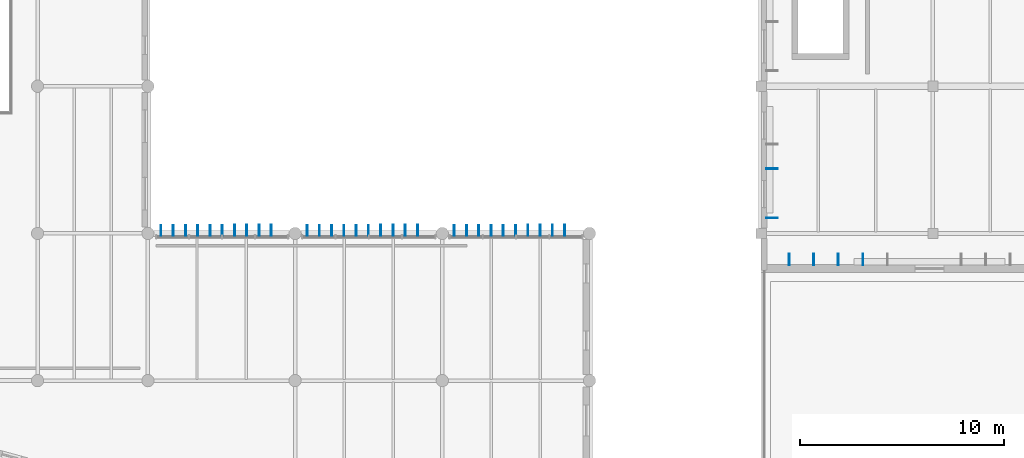
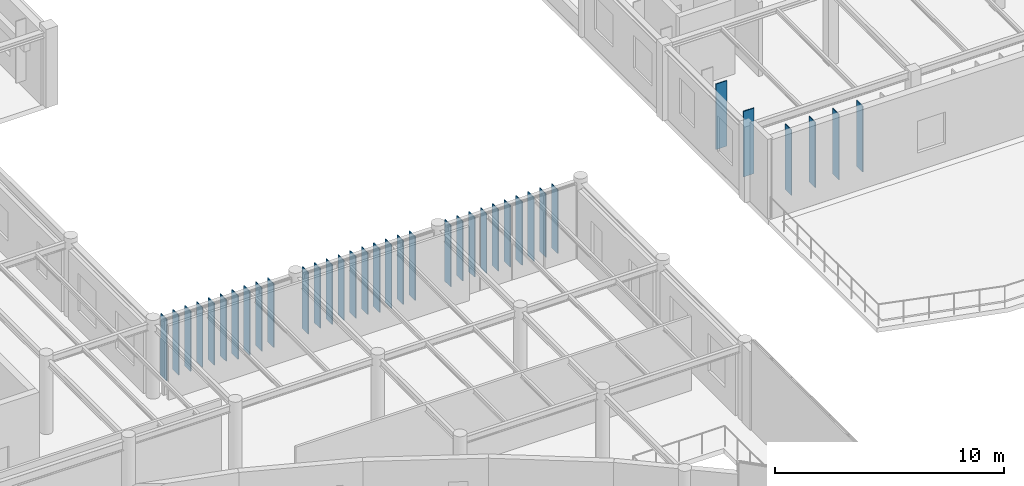
# One storey, part 21 of 104: 36 plates.
"""IFC4 building model written with IfcOpenShell, lengths in metres."""

import ifcopenshell
import ifcopenshell.guid

model = None  # the IFC model being written
_history = None  # IfcOwnerHistory: only IFC2X3 demands one
_inside = {}  # id of a spatial element -> (the spatial element, [elements in it])
_under = {}  # id of a project, library or spatial element -> (it, [spatial elements below it])
_declared = {}  # id of a project -> (the project, [libraries it declares])
_typed = {}  # id of a type object -> (the type object, [elements of that type])
_made_of = {}  # id of a material, layer set ... -> (it, [elements and type objects made of it])


def new_model(schema):
    """Start an empty IFC model of exactly this schema.

    Asked for "IFC4X3", IfcOpenShell would pick the latest addendum, in which some entities
    have other attributes; the version numbers below select the first issue.
    IFC2X3 requires an IfcOwnerHistory on every rooted entity: one is made here for all.
    """
    global model, _history
    if schema == "IFC4X3":
        model = ifcopenshell.file(schema_version=(4, 3, 0, 0))
    else:
        model = ifcopenshell.file(schema=schema)
    _inside.clear()
    _under.clear()
    _declared.clear()
    _typed.clear()
    _made_of.clear()
    _history = None
    if model.schema == "IFC2X3":
        org = make("IfcOrganization", Name="unknown")
        user = make(
            "IfcPersonAndOrganization",
            ThePerson=make("IfcPerson", FamilyName="unknown"),
            TheOrganization=org,
        )
        app = make(
            "IfcApplication",
            ApplicationDeveloper=org,
            Version="unknown",
            ApplicationFullName="unknown",
            ApplicationIdentifier="unknown",
        )
        _history = make(
            "IfcOwnerHistory",
            OwningUser=user,
            OwningApplication=app,
            ChangeAction="ADDED",
            CreationDate=0,
        )
    return model


def make(cls, **values):
    """One entity of the class cls with the attributes given. An attribute that is None is left unset."""
    return model.create_entity(
        cls, **{name: value for name, value in values.items() if value is not None}
    )


def rooted(cls, **values):
    """An entity with a GlobalId (a new one), such as an element, a storey or a relation."""
    return make(cls, GlobalId=ifcopenshell.guid.new(), OwnerHistory=_history, **values)


def si_unit(unit_type, name, prefix=None):
    """IfcSIUnit, for example si_unit("LENGTHUNIT", "METRE", prefix="MILLI")."""
    return make("IfcSIUnit", UnitType=unit_type, Prefix=prefix, Name=name)


def assignment(units):
    """IfcUnitAssignment: the units of a project."""
    return None if units is None else make("IfcUnitAssignment", Units=units)


def point(xyz):
    """IfcCartesianPoint."""
    return None if xyz is None else make("IfcCartesianPoint", Coordinates=xyz)


def direction(xyz):
    """IfcDirection."""
    return None if xyz is None else make("IfcDirection", DirectionRatios=xyz)


def frame(location, z_axis=None, x_axis=None):
    """IfcAxis2Placement3D, a coordinate frame: its origin and axes. An axis left out is left unset."""
    return make(
        "IfcAxis2Placement3D",
        Location=point(location),
        Axis=direction(z_axis),
        RefDirection=direction(x_axis),
    )


def frame_2d(location, x_axis=None):
    """IfcAxis2Placement2D, a coordinate frame in the plane: its origin and x axis."""
    return make(
        "IfcAxis2Placement2D", Location=point(location), RefDirection=direction(x_axis)
    )


def origin():
    """The frame at (0, 0, 0) with its axes left unset."""
    return frame((0.0, 0.0, 0.0))


def origin_2d():
    """The frame at (0, 0) in the plane with its x axis left unset."""
    return frame_2d((0.0, 0.0))


def place(relative_to, where):
    """IfcLocalPlacement: puts the frame where relative to a parent placement (None: the world)."""
    return make(
        "IfcLocalPlacement", PlacementRelTo=relative_to, RelativePlacement=where
    )


def context(
    kind, dimensions, precision=None, world=None, true_north=None, identifier=None
):
    """IfcGeometricRepresentationContext, for example the 3D "Model" context."""
    return make(
        "IfcGeometricRepresentationContext",
        ContextIdentifier=identifier,
        ContextType=kind,
        CoordinateSpaceDimension=dimensions,
        Precision=precision,
        WorldCoordinateSystem=world,
        TrueNorth=true_north,
    )


def subcontext(parent, identifier, kind, view, scale=None):
    """IfcGeometricRepresentationSubContext, for example "Body" below "Model"."""
    return make(
        "IfcGeometricRepresentationSubContext",
        ContextIdentifier=identifier,
        ContextType=kind,
        ParentContext=parent,
        TargetScale=scale,
        TargetView=view,
    )


def project(units=None, contexts=None):
    """IfcProject with its units and contexts."""
    return rooted(
        "IfcProject",
        Name="project",
        RepresentationContexts=contexts,
        UnitsInContext=assignment(units),
    )


def spatial(cls, under=None, at=None, **own):
    """A site, building, storey or space (cls), placed at a placement, below another one or the project."""
    s = rooted(cls, ObjectPlacement=at, **own)
    if under is not None:
        _under.setdefault(under.id(), (under, []))[1].append(s)
    return s


def profile(cls, at=None, kind="AREA", **sizes):
    """A parametric profile (cls). Its sizes go by their IFC names, for example OverallWidth=200.0."""
    return make(cls, ProfileType=kind, Position=at, **sizes)


def rectangle(**sizes):
    """IfcRectangleProfileDef."""
    return profile("IfcRectangleProfileDef", **sizes)


def extrude(swept, where, along, depth):
    """IfcExtrudedAreaSolid: the profile swept, set in the frame where, extruded along a direction by depth."""
    return make(
        "IfcExtrudedAreaSolid",
        SweptArea=swept,
        Position=where,
        ExtrudedDirection=direction(along),
        Depth=depth,
    )


def shape(context_of_items, identifier, shape_type, items):
    """IfcShapeRepresentation: the items that make up one representation, for example the "Body"."""
    return make(
        "IfcShapeRepresentation",
        ContextOfItems=context_of_items,
        RepresentationIdentifier=identifier,
        RepresentationType=shape_type,
        Items=items,
    )


def material(Name=None, Category=None):
    """IfcMaterial."""
    return make("IfcMaterial", Name=Name, Category=Category)


def layer(
    of_material, thickness, ventilated=None, Name=None, Category=None, Priority=None
):
    """IfcMaterialLayer: one layer of a wall or slab, of a material (None: an air gap)."""
    return make(
        "IfcMaterialLayer",
        Material=of_material,
        LayerThickness=thickness,
        IsVentilated=ventilated,
        Name=Name,
        Category=Category,
        Priority=Priority,
    )


def layer_set(layers, Name=None):
    """IfcMaterialLayerSet."""
    return make("IfcMaterialLayerSet", MaterialLayers=layers, LayerSetName=Name)


def made_of(thing, what):
    """Note that an element or type object is made of a material, layer set ...; save() writes the relation."""
    if what is not None:
        _made_of.setdefault(what.id(), (what, []))[1].append(thing)
    return thing


def type_object(cls, material=None, **own):
    """A type object (cls), such as IfcWallType, which elements share."""
    return made_of(rooted(cls, **own), material)


def element(
    cls,
    number,
    at=None,
    inside=None,
    cuts=None,
    type_object=None,
    material=None,
    context=None,
    identifier="Body",
    shape_type=None,
    held_by="IfcProductDefinitionShape",
    body=None,
    shapes=None,
    **own,
):
    """One element of the class cls, such as IfcWall. Its Tag is "e" and its number.

    at: its placement. inside: the storey or other place that contains it. cuts: it is an
    opening in that element (IfcRelVoidsElement). A single representation is given by context,
    identifier, shape_type and body (its items); several are given by shapes. held_by: the class
    of the entity that holds the representations. save() writes the other relations.
    """
    e = rooted(cls, Tag="e%d" % number, ObjectPlacement=at, **own)
    if body is not None:
        shapes = [shape(context, identifier, shape_type, body)]
    if shapes is not None:
        e.Representation = make(held_by, Representations=shapes)
    if inside is not None:
        _inside.setdefault(inside.id(), (inside, []))[1].append(e)
    if cuts is not None:
        rooted(
            "IfcRelVoidsElement", RelatingBuildingElement=cuts, RelatedOpeningElement=e
        )
    if type_object is not None:
        _typed.setdefault(type_object.id(), (type_object, []))[1].append(e)
    return made_of(e, material)


def aggregate(whole, parts):
    """IfcRelAggregates: a whole, such as a stair, and the parts it consists of."""
    return rooted("IfcRelAggregates", RelatingObject=whole, RelatedObjects=parts)


def save(model, path):
    """Write the relations noted so far, then the file.

    IfcRelAggregates (storeys below a building ...), IfcRelContainedInSpatialStructure (elements
    in a storey), IfcRelDefinesByType, IfcRelAssociatesMaterial and IfcRelDeclares: one each for
    every whole, place, type object, material and project.
    """
    for whole, parts in _under.values():
        aggregate(whole, parts)
    for where, things in _inside.values():
        rooted(
            "IfcRelContainedInSpatialStructure",
            RelatedElements=things,
            RelatingStructure=where,
        )
    for kind, things in _typed.values():
        rooted("IfcRelDefinesByType", RelatedObjects=things, RelatingType=kind)
    for what, things in _made_of.values():
        rooted("IfcRelAssociatesMaterial", RelatedObjects=things, RelatingMaterial=what)
    for by, libraries in _declared.values():
        rooted("IfcRelDeclares", RelatingContext=by, RelatedDefinitions=libraries)
    model.write(path)


model = new_model("IFC4")

# Units and contexts
model_context = context("Model", 3, precision=1e-05, world=origin(), true_north=direction((0.0, 1.0)))
body_context = subcontext(model_context, "Body", "Model", "MODEL_VIEW")
ifc_project = project(units=[si_unit("LENGTHUNIT", "METRE"), si_unit("AREAUNIT", "SQUARE_METRE"), si_unit("VOLUMEUNIT", "CUBIC_METRE"), si_unit("PLANEANGLEUNIT", "RADIAN"), si_unit("MASSUNIT", "GRAM", prefix="KILO")], contexts=[model_context])

# Site, building, storey
site_placement = place(None, origin())
site = spatial("IfcSite", under=ifc_project, at=site_placement, CompositionType="ELEMENT")
building_placement = place(site_placement, origin())
building = spatial("IfcBuilding", under=site, at=building_placement, Name="Tazoul Stagehouse", CompositionType="ELEMENT")
storey_placement = place(building_placement, frame((0.0, 0.0, 9.0)))
storey = spatial("IfcBuildingStorey", under=building, at=storey_placement, Name="L02", CompositionType="ELEMENT", Elevation=9.0)

# Plates
ifc_material = material(Name="Anodised Bronze Aluminium 6063-T6", Category="aluminium")
ifc_layer_1 = layer(ifc_material, 0.52001953125, Name="Anodised Bronze Aluminium 6063-T6")
ifc_layer_set_1 = layer_set([ifc_layer_1], Name="Anodised Bronze Aluminium 6063-T6")
plate_type_1 = type_object("IfcPlateType", Name="Parametric Terracotta-Bronze Solar Fin 520x3200", PredefinedType="USERDEFINED", material=ifc_layer_set_1)
for number, where, z_axis, x_axis, name in (
    (1, (96.639892578125, 30.340087890625, 0.7099609375), (0.0, 0.0, 1.0), (1.0, 0.0, 0.0), "L02 Parametric Solar Fin SFN-18 (CW-V5-NRET-E-L02-B1-02)"),
    (2, (97.239990234375, 30.340087890625, 0.7099609375), (0.0, 0.0, 1.0), (1.0, 0.0, 0.0), "L02 Parametric Solar Fin SFN-18 (CW-V5-NRET-E-L02-B1-03)"),
    (3, (97.840087890625, 30.340087890625, 0.7099609375), (0.0, 0.0, 1.0), (1.0, 0.0, 0.0), "L02 Parametric Solar Fin SFN-18 (CW-V5-NRET-E-L02-B1-04)"),
    (4, (103.7900390625, 30.340087890625, 0.7099609375), (0.0, 0.0, 1.0), (1.0, 0.0, 0.0), "L02 Parametric Solar Fin SFN-18 (CW-V5-NRET-E-L02-B2-02)"),
    (5, (104.389892578125, 30.340087890625, 0.7099609375), (0.0, 0.0, 1.0), (1.0, 0.0, 0.0), "L02 Parametric Solar Fin SFN-18 (CW-V5-NRET-E-L02-B2-03)"),
    (6, (104.989990234375, 30.340087890625, 0.7099609375), (0.0, 0.0, 1.0), (1.0, 0.0, 0.0), "L02 Parametric Solar Fin SFN-18 (CW-V5-NRET-E-L02-B2-04)"),
    (7, (110.989990234375, 30.340087890625, 0.7099609375), (0.0, 0.0, 1.0), (1.0, 0.0, 0.0), "L02 Parametric Solar Fin SFN-18 (CW-V5-NRET-E-L02-B3-02)"),
    (8, (111.590087890625, 30.340087890625, 0.7099609375), (0.0, 0.0, 1.0), (1.0, 0.0, 0.0), "L02 Parametric Solar Fin SFN-18 (CW-V5-NRET-E-L02-B3-03)"),
    (9, (112.18994140625, 30.340087890625, 0.7099609375), (0.0, 0.0, 1.0), (1.0, 0.0, 0.0), "L02 Parametric Solar Fin SFN-18 (CW-V5-NRET-E-L02-B3-04)"),
):
    element("IfcPlate", number, at=place(storey_placement, frame(where, z_axis=z_axis, x_axis=x_axis)), inside=storey, type_object=plate_type_1, Name=name, ObjectType="SOLAR FIN", PredefinedType="USERDEFINED", context=body_context, shape_type="SweptSolid", body=[
        extrude(rectangle(XDim=0.044921875, YDim=0.52001953125, at=origin_2d()), origin(), (0.0, 0.0, 1.0), 3.199951171875),
    ])
ifc_layer_2 = layer(ifc_material, 0.530029296875, Name="Anodised Bronze Aluminium 6063-T6")
ifc_layer_set_2 = layer_set([ifc_layer_2], Name="Anodised Bronze Aluminium 6063-T6")
plate_type_2 = type_object("IfcPlateType", Name="Parametric Terracotta-Bronze Solar Fin 530x3300", PredefinedType="USERDEFINED", material=ifc_layer_set_2)
for number, where, z_axis, x_axis, name in (
    (10, (96.0400390625, 30.344970703125, 0.60986328125), (0.0, 0.0, 1.0), (1.0, 0.0, 0.0), "L02 Parametric Solar Fin SFN-19 (CW-V5-NRET-E-L02-B1-01)"),
    (11, (98.43994140625, 30.344970703125, 0.60986328125), (0.0, 0.0, 1.0), (1.0, 0.0, 0.0), "L02 Parametric Solar Fin SFN-19 (CW-V5-NRET-E-L02-B1-05)"),
    (12, (99.0400390625, 30.344970703125, 0.60986328125), (0.0, 0.0, 1.0), (1.0, 0.0, 0.0), "L02 Parametric Solar Fin SFN-19 (CW-V5-NRET-E-L02-B1-06)"),
    (13, (103.18994140625, 30.344970703125, 0.60986328125), (0.0, 0.0, 1.0), (1.0, 0.0, 0.0), "L02 Parametric Solar Fin SFN-19 (CW-V5-NRET-E-L02-B2-01)"),
    (14, (105.590087890625, 30.344970703125, 0.60986328125), (0.0, 0.0, 1.0), (1.0, 0.0, 0.0), "L02 Parametric Solar Fin SFN-19 (CW-V5-NRET-E-L02-B2-05)"),
    (15, (106.18994140625, 30.344970703125, 0.60986328125), (0.0, 0.0, 1.0), (1.0, 0.0, 0.0), "L02 Parametric Solar Fin SFN-19 (CW-V5-NRET-E-L02-B2-06)"),
    (16, (110.389892578125, 30.344970703125, 0.60986328125), (0.0, 0.0, 1.0), (1.0, 0.0, 0.0), "L02 Parametric Solar Fin SFN-19 (CW-V5-NRET-E-L02-B3-01)"),
    (17, (112.7900390625, 30.344970703125, 0.60986328125), (0.0, 0.0, 1.0), (1.0, 0.0, 0.0), "L02 Parametric Solar Fin SFN-19 (CW-V5-NRET-E-L02-B3-05)"),
    (18, (113.389892578125, 30.344970703125, 0.60986328125), (0.0, 0.0, 1.0), (1.0, 0.0, 0.0), "L02 Parametric Solar Fin SFN-19 (CW-V5-NRET-E-L02-B3-06)"),
):
    element("IfcPlate", number, at=place(storey_placement, frame(where, z_axis=z_axis, x_axis=x_axis)), inside=storey, type_object=plate_type_2, Name=name, ObjectType="SOLAR FIN", PredefinedType="USERDEFINED", context=body_context, shape_type="SweptSolid", body=[
        extrude(rectangle(XDim=0.044921875, YDim=0.530029296875, at=origin_2d()), origin(), (0.0, 0.0, 1.0), 3.300048828125),
    ])
ifc_layer_3 = layer(ifc_material, 0.5400390625, Name="Anodised Bronze Aluminium 6063-T6")
ifc_layer_set_3 = layer_set([ifc_layer_3], Name="Anodised Bronze Aluminium 6063-T6")
plate_type_3 = type_object("IfcPlateType", Name="Parametric Terracotta-Bronze Solar Fin 540x3400", PredefinedType="USERDEFINED", material=ifc_layer_set_3)
for number, where, z_axis, x_axis, name in (
    (19, (99.639892578125, 30.35009765625, 0.510009765625), (0.0, 0.0, 1.0), (1.0, 0.0, 0.0), "L02 Parametric Solar Fin SFN-20 (CW-V5-NRET-E-L02-B1-07)"),
    (20, (100.239990234375, 30.35009765625, 0.510009765625), (0.0, 0.0, 1.0), (1.0, 0.0, 0.0), "L02 Parametric Solar Fin SFN-20 (CW-V5-NRET-E-L02-B1-08)"),
    (21, (100.840087890625, 30.35009765625, 0.510009765625), (0.0, 0.0, 1.0), (1.0, 0.0, 0.0), "L02 Parametric Solar Fin SFN-20 (CW-V5-NRET-E-L02-B1-09)"),
    (22, (101.43994140625, 30.35009765625, 0.510009765625), (0.0, 0.0, 1.0), (1.0, 0.0, 0.0), "L02 Parametric Solar Fin SFN-20 (CW-V5-NRET-E-L02-B1-10)"),
    (23, (106.7900390625, 30.35009765625, 0.510009765625), (0.0, 0.0, 1.0), (1.0, 0.0, 0.0), "L02 Parametric Solar Fin SFN-20 (CW-V5-NRET-E-L02-B2-07)"),
    (24, (107.389892578125, 30.35009765625, 0.510009765625), (0.0, 0.0, 1.0), (1.0, 0.0, 0.0), "L02 Parametric Solar Fin SFN-20 (CW-V5-NRET-E-L02-B2-08)"),
    (25, (107.989990234375, 30.35009765625, 0.510009765625), (0.0, 0.0, 1.0), (1.0, 0.0, 0.0), "L02 Parametric Solar Fin SFN-20 (CW-V5-NRET-E-L02-B2-09)"),
    (26, (108.590087890625, 30.35009765625, 0.510009765625), (0.0, 0.0, 1.0), (1.0, 0.0, 0.0), "L02 Parametric Solar Fin SFN-20 (CW-V5-NRET-E-L02-B2-10)"),
    (27, (113.989990234375, 30.35009765625, 0.510009765625), (0.0, 0.0, 1.0), (1.0, 0.0, 0.0), "L02 Parametric Solar Fin SFN-20 (CW-V5-NRET-E-L02-B3-07)"),
    (28, (114.590087890625, 30.35009765625, 0.510009765625), (0.0, 0.0, 1.0), (1.0, 0.0, 0.0), "L02 Parametric Solar Fin SFN-20 (CW-V5-NRET-E-L02-B3-08)"),
    (29, (115.18994140625, 30.35009765625, 0.510009765625), (0.0, 0.0, 1.0), (1.0, 0.0, 0.0), "L02 Parametric Solar Fin SFN-20 (CW-V5-NRET-E-L02-B3-09)"),
    (30, (115.7900390625, 30.35009765625, 0.510009765625), (0.0, 0.0, 1.0), (1.0, 0.0, 0.0), "L02 Parametric Solar Fin SFN-20 (CW-V5-NRET-E-L02-B3-10)"),
):
    element("IfcPlate", number, at=place(storey_placement, frame(where, z_axis=z_axis, x_axis=x_axis)), inside=storey, type_object=plate_type_3, Name=name, ObjectType="SOLAR FIN", PredefinedType="USERDEFINED", context=body_context, shape_type="SweptSolid", body=[
        extrude(rectangle(XDim=0.044921875, YDim=0.5400390625, at=origin_2d()), origin(), (0.0, 0.0, 1.0), 3.39990234375),
    ])
ifc_layer_4 = layer(ifc_material, 0.550048828125, Name="Anodised Bronze Aluminium 6063-T6")
ifc_layer_set_4 = layer_set([ifc_layer_4], Name="Anodised Bronze Aluminium 6063-T6")
plate_type_4 = type_object("IfcPlateType", Name="Parametric Terracotta-Bronze Solar Fin 550x3500", PredefinedType="USERDEFINED", material=ifc_layer_set_4)
for number, where, z_axis, x_axis, name in (
    (31, (125.925048828125, 30.955078125, 0.6201171875), (0.0, 0.0, 1.0), (0.0, 1.0, 0.0), "L02 Parametric Solar Fin SFN-21 (WALL-V4-W-L02-S2-01)"),
    (32, (125.925048828125, 33.35498046875, 0.6201171875), (0.0, 0.0, 1.0), (0.0, 1.0, 0.0), "L02 Parametric Solar Fin SFN-21 (WALL-V4-W-L02-S2-03)"),
    (33, (130.376953125, 28.925048828125, 0.6201171875), (0.0, 0.0, 1.0), (-1.0, 0.0, 0.0), "L02 Parametric Solar Fin SFN-21 (WALL-V4-L02-ARC-09-S1-B1-10)"),
    (34, (129.177001953125, 28.925048828125, 0.6201171875), (0.0, 0.0, 1.0), (-1.0, 0.0, 0.0), "L02 Parametric Solar Fin SFN-21 (WALL-V4-L02-ARC-09-S1-B1-11)"),
    (35, (127.976806640625, 28.925048828125, 0.6201171875), (0.0, 0.0, 1.0), (-1.0, 0.0, 0.0), "L02 Parametric Solar Fin SFN-21 (WALL-V4-L02-ARC-09-S1-B1-12)"),
    (36, (126.77685546875, 28.925048828125, 0.6201171875), (0.0, 0.0, 1.0), (-1.0, 0.0, 0.0), "L02 Parametric Solar Fin SFN-21 (WALL-V4-L02-ARC-09-S1-B1-13)"),
):
    element("IfcPlate", number, at=place(storey_placement, frame(where, z_axis=z_axis, x_axis=x_axis)), inside=storey, type_object=plate_type_4, Name=name, ObjectType="SOLAR FIN", PredefinedType="USERDEFINED", context=body_context, shape_type="SweptSolid", body=[
        extrude(rectangle(XDim=0.044921875, YDim=0.550048828125, at=origin_2d()), origin(), (0.0, 0.0, 1.0), 3.5),
    ])

save(model, "model.ifc")
